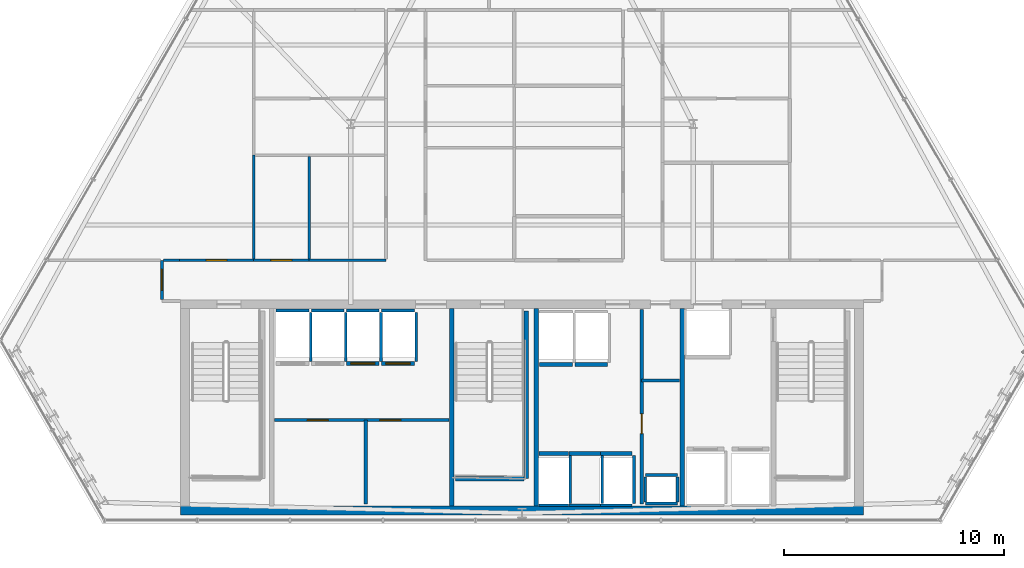
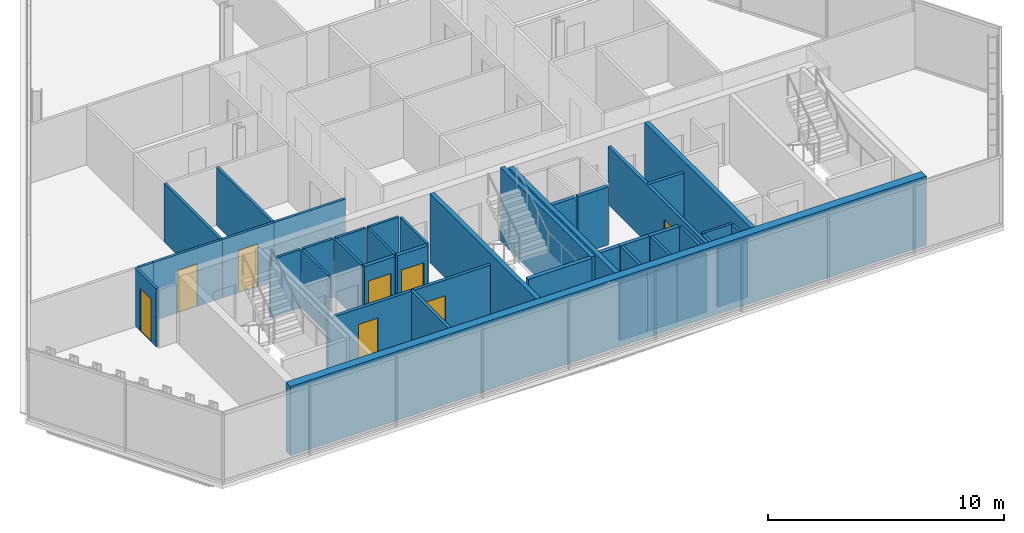
# One storey, part 27 of 33: 42 walls, 8 doors, 8 openings.
"""IFC4 building model written with IfcOpenShell, lengths in metres."""

from ifc_helpers import new_model, si_unit, direction, frame, frame_2d, origin, place, context, subcontext, project, spatial, rectangle, extrude, material, layer, layer_set, type_object, element, fill, save


model = new_model("IFC4")

# Units and contexts
model_context = context("Model", 3, precision=1e-05, world=origin(), true_north=direction((0.0, 1.0)))
body_context = subcontext(model_context, "Body", "Model", "MODEL_VIEW")
ifc_project = project(units=[si_unit("LENGTHUNIT", "METRE"), si_unit("AREAUNIT", "SQUARE_METRE"), si_unit("VOLUMEUNIT", "CUBIC_METRE"), si_unit("PLANEANGLEUNIT", "RADIAN"), si_unit("MASSUNIT", "GRAM", prefix="KILO")], contexts=[model_context])

# Site, building, storey
site_placement = place(None, origin())
site = spatial("IfcSite", under=ifc_project, at=site_placement, CompositionType="ELEMENT")
building_placement = place(site_placement, origin())
building = spatial("IfcBuilding", under=site, at=building_placement, Name="Ndaravel Arena Tower", CompositionType="ELEMENT")
storey_placement = place(building_placement, frame((0.0, 0.0, 184.0)))
storey = spatial("IfcBuildingStorey", under=building, at=storey_placement, Name="L44", CompositionType="ELEMENT", Elevation=184.0)

# Wall, opening, door
ifc_material_1 = material(Name="Gypsum", Category="gypsum")
ifc_layer_1 = layer(ifc_material_1, 0.14990234375)
ifc_layer_set_1 = layer_set([ifc_layer_1], Name="Gypsum")
wall_type_1 = type_object("IfcWallType", Name="WALL-COMP-150", PredefinedType="PARTITIONING", material=ifc_layer_set_1)
wall_1_placement = place(storey_placement, frame((47.449951171875, 5.89990234375, 0.0), z_axis=(0.0, 0.0, 1.0), x_axis=(0.0, 1.0, 0.0)))
wall_1 = element("IfcWall", 1, at=wall_1_placement, inside=storey, type_object=wall_type_1, Name="L44 Core Riser Bay Partition", PredefinedType="PARTITIONING", context=body_context, shape_type="SweptSolid", body=[
    extrude(rectangle(XDim=8.85009765625, YDim=0.14990234375, at=frame_2d((4.425048828125, 0.0))), origin(), (0.0, 0.0, 1.0), 3.010498046875),
])
opening_1_placement = place(wall_1_placement, frame((3.199951171875, 0.0, 0.0)))
opening_1 = element("IfcOpeningElement", 2, at=opening_1_placement, cuts=wall_1, Name="Opening RD-01", PredefinedType="OPENING", context=body_context, shape_type="SweptSolid", body=[
    extrude(rectangle(XDim=0.89990234375, YDim=2.10009765625, at=frame_2d((0.449951171875, 1.050048828125))), frame((0.0, 0.074951171875, 0.0), z_axis=(0.0, -1.0, 0.0), x_axis=(1.0, 0.0, 0.0)), (0.0, 0.0, 1.0), 0.14990234375),
])
ifc_material_2 = material(Name="Steel S355", Category="steel")
door_type_1 = type_object("IfcDoorType", Name="DT-08-RISER-900", OperationType="SINGLE_SWING_LEFT", PredefinedType="DOOR", material=ifc_material_2)
door_1_placement = place(opening_1_placement, origin())
door_1 = element("IfcDoor", 3, at=door_1_placement, inside=storey, type_object=door_type_1, Name="L44 Sub-Metering Closet Door", OperationType="SINGLE_SWING_LEFT", OverallHeight=2.10009765625, OverallWidth=0.89990234375, PredefinedType="DOOR", context=body_context, shape_type="SweptSolid", body=[
    extrude(rectangle(XDim=0.89990234375, YDim=2.10009765625, at=frame_2d((0.449951171875, 1.050048828125))), frame((0.0, 0.02490234375, 0.0), z_axis=(0.0, -1.0, 0.0), x_axis=(1.0, 0.0, 0.0)), (0.0, 0.0, 1.0), 0.050048828125),
])
fill(opening_1, door_1)

# Wall
wall_2_placement = place(storey_placement, frame((47.449951171875, 11.52001953125, 0.0), z_axis=(0.0, 0.0, 1.0), x_axis=(1.0, 0.0, 0.0)))
element("IfcWall", 4, at=wall_2_placement, inside=storey, type_object=wall_type_1, Name="L44 Core Riser Divider 1", PredefinedType="PARTITIONING", context=body_context, shape_type="SweptSolid", body=[
    extrude(rectangle(XDim=1.72998046875, YDim=0.14990234375, at=frame_2d((0.864990234375, 0.0))), origin(), (0.0, 0.0, 1.0), 3.010498046875),
])

# Wall, openings, doors
wall_3_placement = place(storey_placement, frame((30.719970703125, 9.719970703125, 0.0), z_axis=(0.0, 0.0, 1.0), x_axis=(1.0, 0.0, 0.0)))
wall_3 = element("IfcWall", 5, at=wall_3_placement, inside=storey, type_object=wall_type_1, Name="L44 Reclaimed Shaft Partition", PredefinedType="PARTITIONING", context=body_context, shape_type="SweptSolid", body=[
    extrude(rectangle(XDim=7.9599609375, YDim=0.14990234375, at=frame_2d((3.97998046875, 0.0))), origin(), (0.0, 0.0, 1.0), 3.010498046875),
])
opening_2_placement = place(wall_3_placement, frame((1.5, 0.0, 0.0)))
opening_2 = element("IfcOpeningElement", 6, at=opening_2_placement, cuts=wall_3, Name="Opening FD-03", PredefinedType="OPENING", context=body_context, shape_type="SweptSolid", body=[
    extrude(rectangle(XDim=0.949951171875, YDim=2.199951171875, at=frame_2d((0.47509765625, 1.10009765625))), frame((0.0, 0.074951171875, 0.0), z_axis=(0.0, -1.0, 0.0), x_axis=(1.0, 0.0, 0.0)), (0.0, 0.0, 1.0), 0.14990234375),
])
opening_3_placement = place(wall_3_placement, frame((4.81005859375, 0.0, 0.0)))
opening_3 = element("IfcOpeningElement", 7, at=opening_3_placement, cuts=wall_3, Name="Opening FD-03", PredefinedType="OPENING", context=body_context, shape_type="SweptSolid", body=[
    extrude(rectangle(XDim=0.949951171875, YDim=2.199951171875, at=frame_2d((0.47509765625, 1.10009765625))), frame((0.0, 0.074951171875, 0.0), z_axis=(0.0, -1.0, 0.0), x_axis=(1.0, 0.0, 0.0)), (0.0, 0.0, 1.0), 0.14990234375),
])
ifc_material_3 = material(Name="Steel S355", Category="steel")
door_type_2 = type_object("IfcDoorType", Name="DT-11-CORE-950", OperationType="SINGLE_SWING_LEFT", PredefinedType="DOOR", material=ifc_material_3)
door_2_placement = place(opening_2_placement, origin())
door_2 = element("IfcDoor", 8, at=door_2_placement, inside=storey, type_object=door_type_2, Name="L44 ICT Server Room Door", OperationType="SINGLE_SWING_LEFT", OverallHeight=2.199951171875, OverallWidth=0.949951171875, PredefinedType="DOOR", context=body_context, shape_type="SweptSolid", body=[
    extrude(rectangle(XDim=0.949951171875, YDim=2.199951171875, at=frame_2d((0.47509765625, 1.10009765625))), frame((0.0, 0.02490234375, 0.0), z_axis=(0.0, -1.0, 0.0), x_axis=(1.0, 0.0, 0.0)), (0.0, 0.0, 1.0), 0.050048828125),
])
fill(opening_2, door_2)
door_3_placement = place(opening_3_placement, origin())
door_3 = element("IfcDoor", 9, at=door_3_placement, inside=storey, type_object=door_type_2, Name="L44 Core Archive Room Door", OperationType="SINGLE_SWING_RIGHT", OverallHeight=2.199951171875, OverallWidth=0.949951171875, PredefinedType="DOOR", context=body_context, shape_type="SweptSolid", body=[
    extrude(rectangle(XDim=0.949951171875, YDim=2.199951171875, at=frame_2d((0.47509765625, 1.10009765625))), frame((0.0, 0.02490234375, 0.0), z_axis=(0.0, -1.0, 0.0), x_axis=(1.0, 0.0, 0.0)), (0.0, 0.0, 1.0), 0.050048828125),
])
fill(opening_3, door_3)

# Walls
wall_4_placement = place(storey_placement, frame((34.8798828125, 5.89990234375, 0.0), z_axis=(0.0, 0.0, 1.0), x_axis=(0.0, 1.0, 0.0)))
element("IfcWall", 10, at=wall_4_placement, inside=storey, type_object=wall_type_1, Name="L44 Reclaimed Bay Divider", PredefinedType="PARTITIONING", context=body_context, shape_type="SweptSolid", body=[
    extrude(rectangle(XDim=3.820068359375, YDim=0.14990234375, at=frame_2d((1.91015625, 0.0))), origin(), (0.0, 0.0, 1.0), 3.010498046875),
])
ifc_material_4 = material(Name="Concrete C50/60", Category="concrete")
ifc_layer_2 = layer(ifc_material_4, 0.219970703125)
ifc_layer_set_2 = layer_set([ifc_layer_2], Name="Concrete C50/60")
wall_type_2 = type_object("IfcWallType", Name="WALL-CORE-220", PredefinedType="SOLIDWALL", material=ifc_layer_set_2)
for number, where, z_axis, x_axis, name in (
    (11, (38.800048828125, 5.800048828125, 0.0), (0.0, 0.0, 1.0), (0.0, 1.0, 0.0), "L44 Core Web Shear Wall 2"),
    (12, (42.64990234375, 5.800048828125, 0.0), (0.0, 0.0, 1.0), (0.0, 1.0, 0.0), "L44 Core Web Shear Wall 3"),
    (13, (49.300048828125, 5.800048828125, 0.0), (0.0, 0.0, 1.0), (0.0, 1.0, 0.0), "L44 Core Web Shear Wall 4"),
):
    element("IfcWall", number, at=place(storey_placement, frame(where, z_axis=z_axis, x_axis=x_axis)), inside=storey, type_object=wall_type_2, Name=name, PredefinedType="SOLIDWALL", context=body_context, shape_type="SweptSolid", body=[
        extrude(rectangle(XDim=9.0, YDim=0.219970703125, at=frame_2d((4.5, 0.0))), origin(), (0.0, 0.0, 1.0), 3.580078125),
    ])
ifc_material_5 = material(Name="Concrete C50/60", Category="concrete")
ifc_layer_3 = layer(ifc_material_5, 0.39990234375)
ifc_layer_set_3 = layer_set([ifc_layer_3], Name="Concrete C50/60")
wall_type_3 = type_object("IfcWallType", Name="WALL-CORE-400", PredefinedType="SOLIDWALL", material=ifc_layer_set_3)
wall_5_placement = place(storey_placement, frame((26.449951171875, 5.60009765625, 0.0), z_axis=(0.0, 0.0, 1.0), x_axis=(1.0, 0.0, 0.0)))
element("IfcWall", 14, at=wall_5_placement, inside=storey, type_object=wall_type_3, Name="L44 Core South Shear Wall", PredefinedType="SOLIDWALL", context=body_context, shape_type="SweptSolid", body=[
    extrude(rectangle(XDim=31.10009765625, YDim=0.39990234375, at=frame_2d((15.550048828125, 0.0))), origin(), (0.0, 0.0, 1.0), 3.580078125),
])

# Wall, opening, door
ifc_material_6 = material(Name="Gypsum", Category="gypsum")
ifc_layer_4 = layer(ifc_material_6, 0.125)
ifc_layer_set_4 = layer_set([ifc_layer_4], Name="Gypsum")
wall_type_4 = type_object("IfcWallType", Name="WALL-PART-125", PredefinedType="PARTITIONING", material=ifc_layer_set_4)
wall_6_placement = place(storey_placement, frame((25.60009765625, 15.215087890625, 0.0), z_axis=(0.0, 0.0, 1.0), x_axis=(0.0, 1.0, 0.0)))
wall_6 = element("IfcWall", 15, at=wall_6_placement, inside=storey, type_object=wall_type_4, Name="L44 Interior Partition 004", PredefinedType="PARTITIONING", context=body_context, shape_type="SweptSolid", body=[
    extrude(rectangle(XDim=1.784912109375, YDim=0.125, at=frame_2d((0.892578125, 0.0))), origin(), (0.0, 0.0, 1.0), 3.010498046875),
])
opening_4_placement = place(wall_6_placement, frame((0.41748046875, 0.0, 0.0)))
opening_4 = element("IfcOpeningElement", 16, at=opening_4_placement, cuts=wall_6, Name="Opening ID-01", PredefinedType="OPENING", context=body_context, shape_type="SweptSolid", body=[
    extrude(rectangle(XDim=0.949951171875, YDim=2.199951171875, at=frame_2d((0.47509765625, 1.10009765625))), frame((0.0, 0.0625, 0.0), z_axis=(0.0, -1.0, 0.0), x_axis=(1.0, 0.0, 0.0)), (0.0, 0.0, 1.0), 0.125),
])
ifc_material_7 = material(Name="Timber", Category="wood")
door_type_3 = type_object("IfcDoorType", Name="DT-03-OFFICE-950", OperationType="SINGLE_SWING_LEFT", PredefinedType="DOOR", material=ifc_material_7)
door_4_placement = place(opening_4_placement, origin())
door_4 = element("IfcDoor", 17, at=door_4_placement, inside=storey, type_object=door_type_3, Name="L44 Executive Boardroom Door", OperationType="SINGLE_SWING_LEFT", OverallHeight=2.199951171875, OverallWidth=0.949951171875, PredefinedType="DOOR", context=body_context, shape_type="SweptSolid", body=[
    extrude(rectangle(XDim=0.949951171875, YDim=2.199951171875, at=frame_2d((0.47509765625, 1.10009765625))), frame((0.0, 0.02490234375, 0.0), z_axis=(0.0, -1.0, 0.0), x_axis=(1.0, 0.0, 0.0)), (0.0, 0.0, 1.0), 0.050048828125),
])
fill(opening_4, door_4)

# Wall
wall_7_placement = place(storey_placement, frame((25.6650390625, 17.0, 0.0), z_axis=(0.0, 0.0, 1.0), x_axis=(1.0, 0.0, 0.0)))
element("IfcWall", 18, at=wall_7_placement, inside=storey, type_object=wall_type_4, Name="L44 Interior Partition 005", PredefinedType="PARTITIONING", context=body_context, shape_type="SweptSolid", body=[
    extrude(rectangle(XDim=0.73486328125, YDim=0.125, at=frame_2d((0.367431640625, 0.0))), origin(), (0.0, 0.0, 1.0), 3.010498046875),
])

# Wall, opening, door
wall_8_placement = place(storey_placement, frame((26.39990234375, 17.0, 0.0), z_axis=(0.0, 0.0, 1.0), x_axis=(1.0, 0.0, 0.0)))
wall_8 = element("IfcWall", 19, at=wall_8_placement, inside=storey, type_object=wall_type_4, Name="L44 Interior Partition 006", PredefinedType="PARTITIONING", context=body_context, shape_type="SweptSolid", body=[
    extrude(rectangle(XDim=3.376220703125, YDim=0.125, at=frame_2d((1.68798828125, 0.0))), origin(), (0.0, 0.0, 1.0), 3.010498046875),
])
opening_5_placement = place(wall_8_placement, frame((1.213134765625, 0.0, 0.0)))
opening_5 = element("IfcOpeningElement", 20, at=opening_5_placement, cuts=wall_8, Name="Opening ID-01", PredefinedType="OPENING", context=body_context, shape_type="SweptSolid", body=[
    extrude(rectangle(XDim=0.949951171875, YDim=2.199951171875, at=frame_2d((0.47509765625, 1.10009765625))), frame((0.0, 0.0625, 0.0), z_axis=(0.0, -1.0, 0.0), x_axis=(1.0, 0.0, 0.0)), (0.0, 0.0, 1.0), 0.125),
])
door_5_placement = place(opening_5_placement, origin())
door_5 = element("IfcDoor", 21, at=door_5_placement, inside=storey, type_object=door_type_3, Name="L44 Crew Support Room 4 Door", OperationType="SINGLE_SWING_RIGHT", OverallHeight=2.199951171875, OverallWidth=0.949951171875, PredefinedType="DOOR", context=body_context, shape_type="SweptSolid", body=[
    extrude(rectangle(XDim=0.949951171875, YDim=2.199951171875, at=frame_2d((0.47509765625, 1.10009765625))), frame((0.0, 0.02490234375, 0.0), z_axis=(0.0, -1.0, 0.0), x_axis=(1.0, 0.0, 0.0)), (0.0, 0.0, 1.0), 0.050048828125),
])
fill(opening_5, door_5)

wall_9_placement = place(storey_placement, frame((29.776123046875, 17.0, 0.0), z_axis=(0.0, 0.0, 1.0), x_axis=(1.0, 0.0, 0.0)))
wall_9 = element("IfcWall", 22, at=wall_9_placement, inside=storey, type_object=wall_type_4, Name="L44 Interior Partition 007", PredefinedType="PARTITIONING", context=body_context, shape_type="SweptSolid", body=[
    extrude(rectangle(XDim=2.530029296875, YDim=0.125, at=frame_2d((1.26513671875, 0.0))), origin(), (0.0, 0.0, 1.0), 3.010498046875),
])
opening_6_placement = place(wall_9_placement, frame((0.7900390625, 0.0, 0.0)))
opening_6 = element("IfcOpeningElement", 23, at=opening_6_placement, cuts=wall_9, Name="Opening ID-01", PredefinedType="OPENING", context=body_context, shape_type="SweptSolid", body=[
    extrude(rectangle(XDim=0.949951171875, YDim=2.199951171875, at=frame_2d((0.47509765625, 1.10009765625))), frame((0.0, 0.0625, 0.0), z_axis=(0.0, -1.0, 0.0), x_axis=(1.0, 0.0, 0.0)), (0.0, 0.0, 1.0), 0.125),
])
door_6_placement = place(opening_6_placement, origin())
door_6 = element("IfcDoor", 24, at=door_6_placement, inside=storey, type_object=door_type_3, Name="L44 Project Seminar Room 3 Door", OperationType="SINGLE_SWING_RIGHT", OverallHeight=2.199951171875, OverallWidth=0.949951171875, PredefinedType="DOOR", context=body_context, shape_type="SweptSolid", body=[
    extrude(rectangle(XDim=0.949951171875, YDim=2.199951171875, at=frame_2d((0.47509765625, 1.10009765625))), frame((0.0, 0.02490234375, 0.0), z_axis=(0.0, -1.0, 0.0), x_axis=(1.0, 0.0, 0.0)), (0.0, 0.0, 1.0), 0.050048828125),
])
fill(opening_6, door_6)

# Walls
wall_10_placement = place(storey_placement, frame((32.30615234375, 17.0, 0.0), z_axis=(0.0, 0.0, 1.0), x_axis=(1.0, 0.0, 0.0)))
element("IfcWall", 25, at=wall_10_placement, inside=storey, type_object=wall_type_4, Name="L44 Interior Partition 008", PredefinedType="PARTITIONING", context=body_context, shape_type="SweptSolid", body=[
    extrude(rectangle(XDim=3.493896484375, YDim=0.125, at=frame_2d((1.7470703125, 0.0))), origin(), (0.0, 0.0, 1.0), 3.010498046875),
])
wall_11_placement = place(storey_placement, frame((29.776123046875, 17.06494140625, 0.0), z_axis=(0.0, 0.0, 1.0), x_axis=(0.0, 1.0, 0.0)))
element("IfcWall", 26, at=wall_11_placement, inside=storey, type_object=wall_type_4, Name="L44 Interior Partition 037", PredefinedType="PARTITIONING", context=body_context, shape_type="SweptSolid", body=[
    extrude(rectangle(XDim=4.72314453125, YDim=0.125, at=frame_2d((2.361572265625, 0.0))), origin(), (0.0, 0.0, 1.0), 3.010498046875),
])
wall_12_placement = place(storey_placement, frame((32.30615234375, 21.722900390625, 0.0), z_axis=(0.0, 0.0, 1.0), x_axis=(0.0, -1.0, 0.0)))
element("IfcWall", 27, at=wall_12_placement, inside=storey, type_object=wall_type_4, Name="L44 Interior Partition 039", PredefinedType="PARTITIONING", context=body_context, shape_type="SweptSolid", body=[
    extrude(rectangle(XDim=4.657958984375, YDim=0.125, at=frame_2d((2.3291015625, 0.0))), origin(), (0.0, 0.0, 1.0), 3.010498046875),
])
ifc_material_8 = material(Name="Concrete C40/50", Category="concrete")
ifc_layer_5 = layer(ifc_material_8, 0.1201171875)
ifc_layer_set_5 = layer_set([ifc_layer_5], Name="Concrete C40/50")
wall_type_5 = type_object("IfcWallType", Name="WALL-SHAFT-120", PredefinedType="SOLIDWALL", material=ifc_layer_set_5)
for number, where, z_axis, x_axis, name in (
    (28, (47.6201171875, 5.919921875, 0.0), (0.0, 0.0, 1.0), (1.0, 0.0, 0.0), "L44 MEP Riser Shaft S Wall"),
    (29, (47.6201171875, 7.219970703125, 0.0), (0.0, 0.0, 1.0), (1.0, 0.0, 0.0), "L44 MEP Riser Shaft N Wall"),
):
    element("IfcWall", number, at=place(storey_placement, frame(where, z_axis=z_axis, x_axis=x_axis)), inside=storey, type_object=wall_type_5, Name=name, PredefinedType="SOLIDWALL", context=body_context, shape_type="SweptSolid", body=[
        extrude(rectangle(XDim=1.4599609375, YDim=0.1201171875, at=frame_2d((0.72998046875, 0.0))), origin(), (0.0, 0.0, 1.0), 3.010498046875),
    ])
for number, where, z_axis, x_axis, name in (
    (30, (47.6201171875, 6.0, 0.0), (0.0, 0.0, 1.0), (0.0, 1.0, 0.0), "L44 MEP Riser Shaft W Wall"),
    (31, (49.080078125, 6.0, 0.0), (0.0, 0.0, 1.0), (0.0, 1.0, 0.0), "L44 MEP Riser Shaft E Wall"),
):
    element("IfcWall", number, at=place(storey_placement, frame(where, z_axis=z_axis, x_axis=x_axis)), inside=storey, type_object=wall_type_5, Name=name, PredefinedType="SOLIDWALL", context=body_context, shape_type="SweptSolid", body=[
        extrude(rectangle(XDim=1.139892578125, YDim=0.1201171875, at=frame_2d((0.56982421875, 0.0))), origin(), (0.0, 0.0, 1.0), 3.010498046875),
    ])
wall_13_placement = place(storey_placement, frame((30.804931640625, 14.7099609375, 0.0), z_axis=(0.0, 0.0, 1.0), x_axis=(1.0, 0.0, 0.0)))
element("IfcWall", 32, at=wall_13_placement, inside=storey, type_object=wall_type_5, Name="L44 PL-M1 Shaft Rear Wall", PredefinedType="SOLIDWALL", context=body_context, shape_type="SweptSolid", body=[
    extrude(rectangle(XDim=1.489990234375, YDim=0.1201171875, at=frame_2d((0.7451171875, 0.0))), origin(), (0.0, 0.0, 1.0), 3.010498046875),
])
wall_14_placement = place(storey_placement, frame((32.375, 12.389892578125, 0.0), z_axis=(0.0, 0.0, 1.0), x_axis=(0.0, 1.0, 0.0)))
element("IfcWall", 33, at=wall_14_placement, inside=storey, type_object=wall_type_5, Name="L44 PL-M1 Shaft Side R Wall", PredefinedType="SOLIDWALL", context=body_context, shape_type="SweptSolid", body=[
    extrude(rectangle(XDim=2.230224609375, YDim=0.1201171875, at=frame_2d((1.115234375, 0.0))), origin(), (0.0, 0.0, 1.0), 3.010498046875),
])
wall_15_placement = place(storey_placement, frame((32.405029296875, 14.7099609375, 0.0), z_axis=(0.0, 0.0, 1.0), x_axis=(1.0, 0.0, 0.0)))
element("IfcWall", 34, at=wall_15_placement, inside=storey, type_object=wall_type_5, Name="L44 PL-M2 Shaft Rear Wall", PredefinedType="SOLIDWALL", context=body_context, shape_type="SweptSolid", body=[
    extrude(rectangle(XDim=1.489990234375, YDim=0.1201171875, at=frame_2d((0.7451171875, 0.0))), origin(), (0.0, 0.0, 1.0), 3.010498046875),
])
wall_16_placement = place(storey_placement, frame((33.97509765625, 12.389892578125, 0.0), z_axis=(0.0, 0.0, 1.0), x_axis=(0.0, 1.0, 0.0)))
element("IfcWall", 35, at=wall_16_placement, inside=storey, type_object=wall_type_5, Name="L44 PL-M2 Shaft Side R Wall", PredefinedType="SOLIDWALL", context=body_context, shape_type="SweptSolid", body=[
    extrude(rectangle(XDim=2.230224609375, YDim=0.1201171875, at=frame_2d((1.115234375, 0.0))), origin(), (0.0, 0.0, 1.0), 3.010498046875),
])
wall_17_placement = place(storey_placement, frame((34.0048828125, 14.7099609375, 0.0), z_axis=(0.0, 0.0, 1.0), x_axis=(1.0, 0.0, 0.0)))
element("IfcWall", 36, at=wall_17_placement, inside=storey, type_object=wall_type_5, Name="L44 PL-M3 Shaft Rear Wall", PredefinedType="SOLIDWALL", context=body_context, shape_type="SweptSolid", body=[
    extrude(rectangle(XDim=1.490234375, YDim=0.1201171875, at=frame_2d((0.7451171875, 0.0))), origin(), (0.0, 0.0, 1.0), 3.010498046875),
])
wall_18_placement = place(storey_placement, frame((35.574951171875, 12.389892578125, 0.0), z_axis=(0.0, 0.0, 1.0), x_axis=(0.0, 1.0, 0.0)))
element("IfcWall", 37, at=wall_18_placement, inside=storey, type_object=wall_type_5, Name="L44 PL-M3 Shaft Side R Wall", PredefinedType="SOLIDWALL", context=body_context, shape_type="SweptSolid", body=[
    extrude(rectangle(XDim=2.230224609375, YDim=0.1201171875, at=frame_2d((1.115234375, 0.0))), origin(), (0.0, 0.0, 1.0), 3.010498046875),
])
wall_19_placement = place(storey_placement, frame((35.60498046875, 14.7099609375, 0.0), z_axis=(0.0, 0.0, 1.0), x_axis=(1.0, 0.0, 0.0)))
element("IfcWall", 38, at=wall_19_placement, inside=storey, type_object=wall_type_5, Name="L44 PL-M4 Shaft Rear Wall", PredefinedType="SOLIDWALL", context=body_context, shape_type="SweptSolid", body=[
    extrude(rectangle(XDim=1.489990234375, YDim=0.1201171875, at=frame_2d((0.7451171875, 0.0))), origin(), (0.0, 0.0, 1.0), 3.010498046875),
])
wall_20_placement = place(storey_placement, frame((37.175048828125, 12.389892578125, 0.0), z_axis=(0.0, 0.0, 1.0), x_axis=(0.0, 1.0, 0.0)))
element("IfcWall", 39, at=wall_20_placement, inside=storey, type_object=wall_type_5, Name="L44 PL-M4 Shaft Side R Wall", PredefinedType="SOLIDWALL", context=body_context, shape_type="SweptSolid", body=[
    extrude(rectangle(XDim=2.230224609375, YDim=0.1201171875, at=frame_2d((1.115234375, 0.0))), origin(), (0.0, 0.0, 1.0), 3.010498046875),
])
wall_21_placement = place(storey_placement, frame((42.780029296875, 5.840087890625, 0.0), z_axis=(0.0, 0.0, 1.0), x_axis=(1.0, 0.0, 0.0)))
element("IfcWall", 40, at=wall_21_placement, inside=storey, type_object=wall_type_5, Name="L44 PL-H1 Shaft Rear Wall", PredefinedType="SOLIDWALL", context=body_context, shape_type="SweptSolid", body=[
    extrude(rectangle(XDim=1.340087890625, YDim=0.1201171875, at=frame_2d((0.669921875, 0.0))), origin(), (0.0, 0.0, 1.0), 3.010498046875),
])
wall_22_placement = place(storey_placement, frame((44.199951171875, 5.929931640625, 0.0), z_axis=(0.0, 0.0, 1.0), x_axis=(0.0, 1.0, 0.0)))
element("IfcWall", 41, at=wall_22_placement, inside=storey, type_object=wall_type_5, Name="L44 PL-H1 Shaft Side R Wall", PredefinedType="SOLIDWALL", context=body_context, shape_type="SweptSolid", body=[
    extrude(rectangle(XDim=2.18017578125, YDim=0.1201171875, at=frame_2d((1.090087890625, 0.0))), origin(), (0.0, 0.0, 1.0), 3.010498046875),
])
wall_23_placement = place(storey_placement, frame((44.1298828125, 5.840087890625, 0.0), z_axis=(0.0, 0.0, 1.0), x_axis=(1.0, 0.0, 0.0)))
element("IfcWall", 42, at=wall_23_placement, inside=storey, type_object=wall_type_5, Name="L44 PL-H2 Shaft Rear Wall", PredefinedType="SOLIDWALL", context=body_context, shape_type="SweptSolid", body=[
    extrude(rectangle(XDim=1.440185546875, YDim=0.1201171875, at=frame_2d((0.72021484375, 0.0))), origin(), (0.0, 0.0, 1.0), 3.010498046875),
])
wall_24_placement = place(storey_placement, frame((45.64990234375, 5.929931640625, 0.0), z_axis=(0.0, 0.0, 1.0), x_axis=(0.0, 1.0, 0.0)))
element("IfcWall", 43, at=wall_24_placement, inside=storey, type_object=wall_type_5, Name="L44 PL-H2 Shaft Side R Wall", PredefinedType="SOLIDWALL", context=body_context, shape_type="SweptSolid", body=[
    extrude(rectangle(XDim=2.18017578125, YDim=0.1201171875, at=frame_2d((1.090087890625, 0.0))), origin(), (0.0, 0.0, 1.0), 3.010498046875),
])
wall_25_placement = place(storey_placement, frame((45.580078125, 5.840087890625, 0.0), z_axis=(0.0, 0.0, 1.0), x_axis=(1.0, 0.0, 0.0)))
element("IfcWall", 44, at=wall_25_placement, inside=storey, type_object=wall_type_5, Name="L44 PL-H3 Shaft Rear Wall", PredefinedType="SOLIDWALL", context=body_context, shape_type="SweptSolid", body=[
    extrude(rectangle(XDim=1.43994140625, YDim=0.1201171875, at=frame_2d((0.719970703125, 0.0))), origin(), (0.0, 0.0, 1.0), 3.010498046875),
])
wall_26_placement = place(storey_placement, frame((47.10009765625, 5.929931640625, 0.0), z_axis=(0.0, 0.0, 1.0), x_axis=(0.0, 1.0, 0.0)))
element("IfcWall", 45, at=wall_26_placement, inside=storey, type_object=wall_type_5, Name="L44 PL-H3 Shaft Side R Wall", PredefinedType="SOLIDWALL", context=body_context, shape_type="SweptSolid", body=[
    extrude(rectangle(XDim=2.18017578125, YDim=0.1201171875, at=frame_2d((1.090087890625, 0.0))), origin(), (0.0, 0.0, 1.0), 3.010498046875),
])
ifc_material_9 = material(Name="Concrete C40/50", Category="concrete")
ifc_layer_6 = layer(ifc_material_9, 0.199951171875)
ifc_layer_set_6 = layer_set([ifc_layer_6], Name="Concrete C40/50")
wall_type_6 = type_object("IfcWallType", Name="WALL-SHAFT-200", PredefinedType="SOLIDWALL", material=ifc_layer_set_6)
wall_27_placement = place(storey_placement, frame((42.18994140625, 14.699951171875, 0.0), z_axis=(0.0, 0.0, 1.0), x_axis=(0.0, -1.0, 0.0)))
element("IfcWall", 46, at=wall_27_placement, inside=storey, type_object=wall_type_6, Name="L44 ST-2 Structural Shaft Wall Right", PredefinedType="SOLIDWALL", context=body_context, shape_type="SweptSolid", body=[
    extrude(rectangle(XDim=7.64990234375, YDim=0.199951171875, at=frame_2d((3.824951171875, 0.0))), origin(), (0.0, 0.0, 1.0), 3.800048828125),
])
wall_28_placement = place(storey_placement, frame((38.969970703125, 7.050048828125, 0.0), z_axis=(0.0, 0.0, 1.0), x_axis=(1.0, 0.0, 0.0)))
element("IfcWall", 47, at=wall_28_placement, inside=storey, type_object=wall_type_6, Name="L44 ST-2 Structural Shaft Wall Far", PredefinedType="SOLIDWALL", context=body_context, shape_type="SweptSolid", body=[
    extrude(rectangle(XDim=3.114990234375, YDim=0.199951171875, at=frame_2d((1.5576171875, 0.0))), origin(), (0.0, 0.0, 1.0), 3.800048828125),
])

# Wall, opening, door
wall_29_placement = place(storey_placement, frame((34.0048828125, 12.300048828125, 0.0), z_axis=(0.0, 0.0, 1.0), x_axis=(1.0, 0.0, 0.0)))
wall_29 = element("IfcWall", 48, at=wall_29_placement, inside=storey, type_object=wall_type_6, Name="L44 PL-M3 Shaft Landing Wall", PredefinedType="SOLIDWALL", context=body_context, shape_type="SweptSolid", body=[
    extrude(rectangle(XDim=1.490234375, YDim=0.179931640625, at=frame_2d((0.7451171875, 0.0))), origin(), (0.0, 0.0, 1.0), 3.010498046875),
])
opening_7_placement = place(wall_29_placement, frame((0.195068359375, 0.0, 0.0)))
opening_7 = element("IfcOpeningElement", 49, at=opening_7_placement, cuts=wall_29, Name="Opening LD-01", PredefinedType="OPENING", context=body_context, shape_type="SweptSolid", body=[
    extrude(rectangle(XDim=1.10009765625, YDim=2.199951171875, at=frame_2d((0.550048828125, 1.10009765625))), frame((0.0, 0.08984375, 0.0), z_axis=(0.0, -1.0, 0.0), x_axis=(1.0, 0.0, 0.0)), (0.0, 0.0, 1.0), 0.179931640625),
])
ifc_material_10 = material(Name="Steel S355", Category="steel")
door_type_4 = type_object("IfcDoorType", Name="DT-06-LIFT-1100", OperationType="SLIDING_TO_LEFT", PredefinedType="DOOR", material=ifc_material_10)
door_7_placement = place(opening_7_placement, origin())
door_7 = element("IfcDoor", 50, at=door_7_placement, inside=storey, type_object=door_type_4, Name="L44 Lift PL-M3 Sliding Landing Door", OperationType="SLIDING_TO_LEFT", OverallHeight=2.199951171875, OverallWidth=1.10009765625, PredefinedType="DOOR", context=body_context, shape_type="SweptSolid", body=[
    extrude(rectangle(XDim=1.10009765625, YDim=2.199951171875, at=frame_2d((0.550048828125, 1.10009765625))), frame((0.0, 0.02490234375, 0.0), z_axis=(0.0, -1.0, 0.0), x_axis=(1.0, 0.0, 0.0)), (0.0, 0.0, 1.0), 0.050048828125),
])
fill(opening_7, door_7)

wall_30_placement = place(storey_placement, frame((35.60498046875, 12.300048828125, 0.0), z_axis=(0.0, 0.0, 1.0), x_axis=(1.0, 0.0, 0.0)))
wall_30 = element("IfcWall", 51, at=wall_30_placement, inside=storey, type_object=wall_type_6, Name="L44 PL-M4 Shaft Landing Wall", PredefinedType="SOLIDWALL", context=body_context, shape_type="SweptSolid", body=[
    extrude(rectangle(XDim=1.489990234375, YDim=0.179931640625, at=frame_2d((0.7451171875, 0.0))), origin(), (0.0, 0.0, 1.0), 3.010498046875),
])
opening_8_placement = place(wall_30_placement, frame((0.195068359375, 0.0, 0.0)))
opening_8 = element("IfcOpeningElement", 52, at=opening_8_placement, cuts=wall_30, Name="Opening LD-01", PredefinedType="OPENING", context=body_context, shape_type="SweptSolid", body=[
    extrude(rectangle(XDim=1.10009765625, YDim=2.199951171875, at=frame_2d((0.550048828125, 1.10009765625))), frame((0.0, 0.08984375, 0.0), z_axis=(0.0, -1.0, 0.0), x_axis=(1.0, 0.0, 0.0)), (0.0, 0.0, 1.0), 0.179931640625),
])
door_8_placement = place(opening_8_placement, origin())
door_8 = element("IfcDoor", 53, at=door_8_placement, inside=storey, type_object=door_type_4, Name="L44 Lift PL-M4 Sliding Landing Door", OperationType="SLIDING_TO_LEFT", OverallHeight=2.199951171875, OverallWidth=1.10009765625, PredefinedType="DOOR", context=body_context, shape_type="SweptSolid", body=[
    extrude(rectangle(XDim=1.10009765625, YDim=2.199951171875, at=frame_2d((0.550048828125, 1.10009765625))), frame((0.0, 0.02490234375, 0.0), z_axis=(0.0, -1.0, 0.0), x_axis=(1.0, 0.0, 0.0)), (0.0, 0.0, 1.0), 0.050048828125),
])
fill(opening_8, door_8)

# Walls
wall_31_placement = place(storey_placement, frame((42.780029296875, 8.199951171875, 0.0), z_axis=(0.0, 0.0, 1.0), x_axis=(1.0, 0.0, 0.0)))
element("IfcWall", 54, at=wall_31_placement, inside=storey, type_object=wall_type_6, Name="L44 PL-H1 Shaft Landing Wall", PredefinedType="SOLIDWALL", context=body_context, shape_type="SweptSolid", body=[
    extrude(rectangle(XDim=1.340087890625, YDim=0.179931640625, at=frame_2d((0.669921875, 0.0))), origin(), (0.0, 0.0, 1.0), 3.010498046875),
])
wall_32_placement = place(storey_placement, frame((44.1298828125, 8.199951171875, 0.0), z_axis=(0.0, 0.0, 1.0), x_axis=(1.0, 0.0, 0.0)))
element("IfcWall", 55, at=wall_32_placement, inside=storey, type_object=wall_type_6, Name="L44 PL-H2 Shaft Landing Wall", PredefinedType="SOLIDWALL", context=body_context, shape_type="SweptSolid", body=[
    extrude(rectangle(XDim=1.440185546875, YDim=0.179931640625, at=frame_2d((0.72021484375, 0.0))), origin(), (0.0, 0.0, 1.0), 3.010498046875),
])
wall_33_placement = place(storey_placement, frame((45.580078125, 8.199951171875, 0.0), z_axis=(0.0, 0.0, 1.0), x_axis=(1.0, 0.0, 0.0)))
element("IfcWall", 56, at=wall_33_placement, inside=storey, type_object=wall_type_6, Name="L44 PL-H3 Shaft Landing Wall", PredefinedType="SOLIDWALL", context=body_context, shape_type="SweptSolid", body=[
    extrude(rectangle(XDim=1.43994140625, YDim=0.179931640625, at=frame_2d((0.719970703125, 0.0))), origin(), (0.0, 0.0, 1.0), 3.010498046875),
])
for number, where, z_axis, x_axis, name in (
    (57, (42.804931640625, 12.25, 0.0), (0.0, 0.0, 1.0), (1.0, 0.0, 0.0), "L44 PL-OBS1 Shaft Landing Wall"),
    (58, (44.405029296875, 12.25, 0.0), (0.0, 0.0, 1.0), (1.0, 0.0, 0.0), "L44 PL-OBS2 Shaft Landing Wall"),
):
    element("IfcWall", number, at=place(storey_placement, frame(where, z_axis=z_axis, x_axis=x_axis)), inside=storey, type_object=wall_type_6, Name=name, PredefinedType="SOLIDWALL", context=body_context, shape_type="SweptSolid", body=[
        extrude(rectangle(XDim=1.489990234375, YDim=0.179931640625, at=frame_2d((0.7451171875, 0.0))), origin(), (0.0, 0.0, 1.0), 3.010498046875),
    ])

save(model, "model.ifc")
